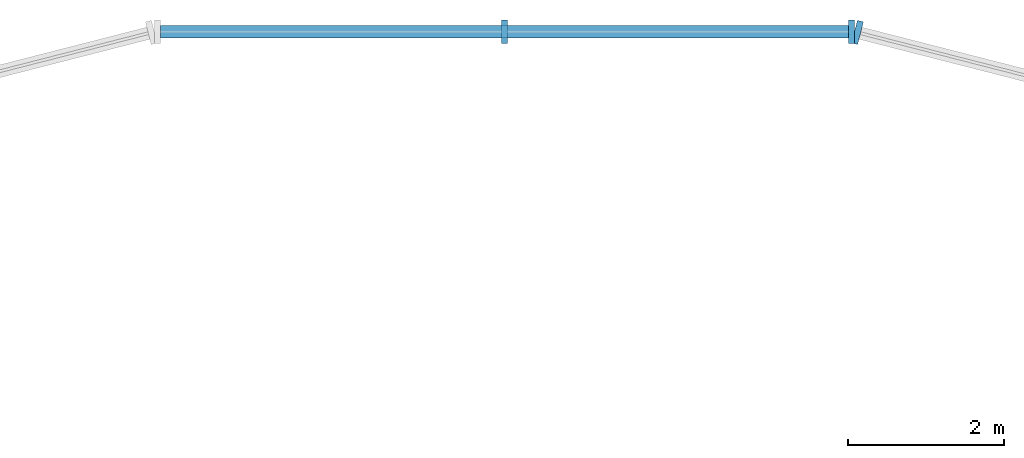
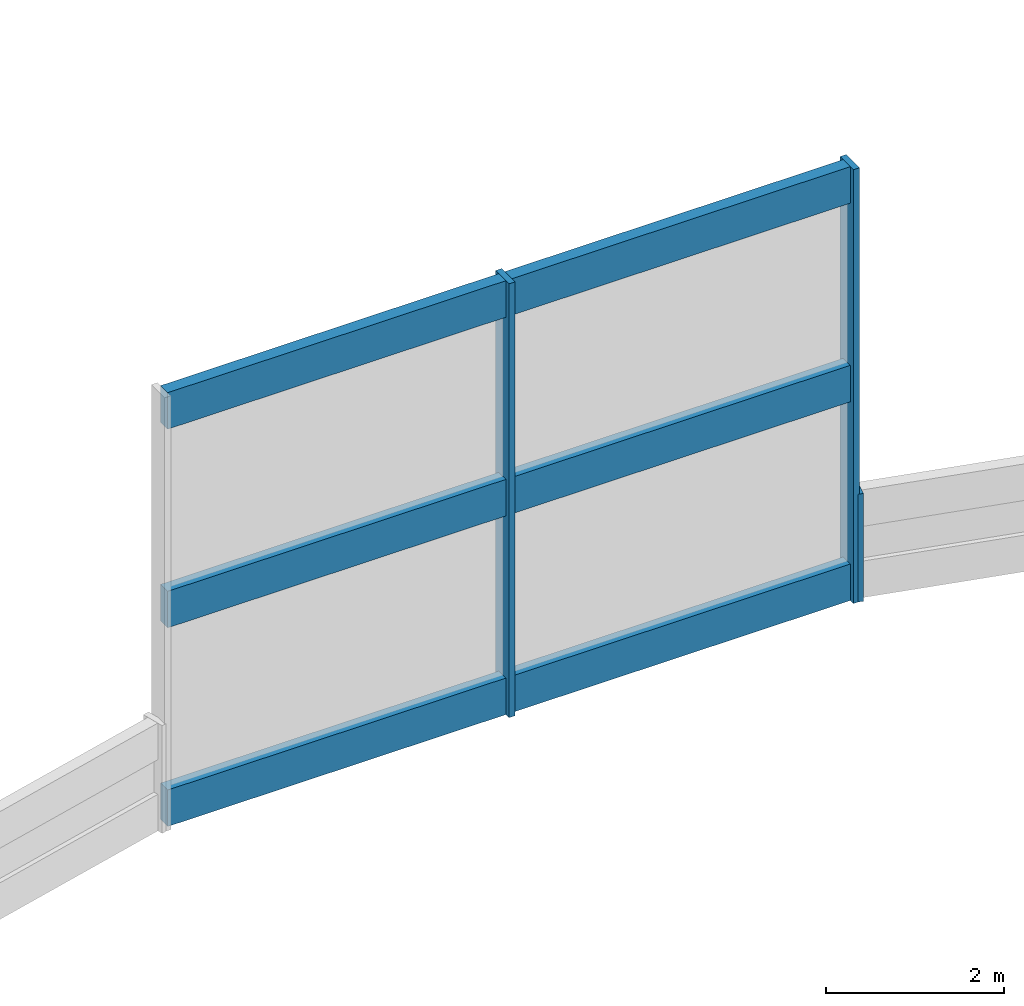
# One storey, part 4 of 19: 6 members, 2 elements without a shape of their own.
"""IFC4 building model written with IfcOpenShell, lengths in metres."""

import ifcopenshell
import ifcopenshell.guid

model = None  # the IFC model being written
_history = None  # IfcOwnerHistory: only IFC2X3 demands one
_inside = {}  # id of a spatial element -> (the spatial element, [elements in it])
_under = {}  # id of a project, library or spatial element -> (it, [spatial elements below it])
_declared = {}  # id of a project -> (the project, [libraries it declares])
_typed = {}  # id of a type object -> (the type object, [elements of that type])
_made_of = {}  # id of a material, layer set ... -> (it, [elements and type objects made of it])


def new_model(schema):
    """Start an empty IFC model of exactly this schema.

    Asked for "IFC4X3", IfcOpenShell would pick the latest addendum, in which some entities
    have other attributes; the version numbers below select the first issue.
    IFC2X3 requires an IfcOwnerHistory on every rooted entity: one is made here for all.
    """
    global model, _history
    if schema == "IFC4X3":
        model = ifcopenshell.file(schema_version=(4, 3, 0, 0))
    else:
        model = ifcopenshell.file(schema=schema)
    _inside.clear()
    _under.clear()
    _declared.clear()
    _typed.clear()
    _made_of.clear()
    _history = None
    if model.schema == "IFC2X3":
        org = make("IfcOrganization", Name="unknown")
        user = make(
            "IfcPersonAndOrganization",
            ThePerson=make("IfcPerson", FamilyName="unknown"),
            TheOrganization=org,
        )
        app = make(
            "IfcApplication",
            ApplicationDeveloper=org,
            Version="unknown",
            ApplicationFullName="unknown",
            ApplicationIdentifier="unknown",
        )
        _history = make(
            "IfcOwnerHistory",
            OwningUser=user,
            OwningApplication=app,
            ChangeAction="ADDED",
            CreationDate=0,
        )
    return model


def make(cls, **values):
    """One entity of the class cls with the attributes given. An attribute that is None is left unset."""
    return model.create_entity(
        cls, **{name: value for name, value in values.items() if value is not None}
    )


def rooted(cls, **values):
    """An entity with a GlobalId (a new one), such as an element, a storey or a relation."""
    return make(cls, GlobalId=ifcopenshell.guid.new(), OwnerHistory=_history, **values)


def si_unit(unit_type, name, prefix=None):
    """IfcSIUnit, for example si_unit("LENGTHUNIT", "METRE", prefix="MILLI")."""
    return make("IfcSIUnit", UnitType=unit_type, Prefix=prefix, Name=name)


def assignment(units):
    """IfcUnitAssignment: the units of a project."""
    return None if units is None else make("IfcUnitAssignment", Units=units)


def point(xyz):
    """IfcCartesianPoint."""
    return None if xyz is None else make("IfcCartesianPoint", Coordinates=xyz)


def direction(xyz):
    """IfcDirection."""
    return None if xyz is None else make("IfcDirection", DirectionRatios=xyz)


def frame(location, z_axis=None, x_axis=None):
    """IfcAxis2Placement3D, a coordinate frame: its origin and axes. An axis left out is left unset."""
    return make(
        "IfcAxis2Placement3D",
        Location=point(location),
        Axis=direction(z_axis),
        RefDirection=direction(x_axis),
    )


def frame_2d(location, x_axis=None):
    """IfcAxis2Placement2D, a coordinate frame in the plane: its origin and x axis."""
    return make(
        "IfcAxis2Placement2D", Location=point(location), RefDirection=direction(x_axis)
    )


def origin():
    """The frame at (0, 0, 0) with its axes left unset."""
    return frame((0.0, 0.0, 0.0))


def origin_2d():
    """The frame at (0, 0) in the plane with its x axis left unset."""
    return frame_2d((0.0, 0.0))


def place(relative_to, where):
    """IfcLocalPlacement: puts the frame where relative to a parent placement (None: the world)."""
    return make(
        "IfcLocalPlacement", PlacementRelTo=relative_to, RelativePlacement=where
    )


def context(
    kind, dimensions, precision=None, world=None, true_north=None, identifier=None
):
    """IfcGeometricRepresentationContext, for example the 3D "Model" context."""
    return make(
        "IfcGeometricRepresentationContext",
        ContextIdentifier=identifier,
        ContextType=kind,
        CoordinateSpaceDimension=dimensions,
        Precision=precision,
        WorldCoordinateSystem=world,
        TrueNorth=true_north,
    )


def subcontext(parent, identifier, kind, view, scale=None):
    """IfcGeometricRepresentationSubContext, for example "Body" below "Model"."""
    return make(
        "IfcGeometricRepresentationSubContext",
        ContextIdentifier=identifier,
        ContextType=kind,
        ParentContext=parent,
        TargetScale=scale,
        TargetView=view,
    )


def project(units=None, contexts=None):
    """IfcProject with its units and contexts."""
    return rooted(
        "IfcProject",
        Name="project",
        RepresentationContexts=contexts,
        UnitsInContext=assignment(units),
    )


def spatial(cls, under=None, at=None, **own):
    """A site, building, storey or space (cls), placed at a placement, below another one or the project."""
    s = rooted(cls, ObjectPlacement=at, **own)
    if under is not None:
        _under.setdefault(under.id(), (under, []))[1].append(s)
    return s


def profile(cls, at=None, kind="AREA", **sizes):
    """A parametric profile (cls). Its sizes go by their IFC names, for example OverallWidth=200.0."""
    return make(cls, ProfileType=kind, Position=at, **sizes)


def rectangle(**sizes):
    """IfcRectangleProfileDef."""
    return profile("IfcRectangleProfileDef", **sizes)


def extrude(swept, where, along, depth):
    """IfcExtrudedAreaSolid: the profile swept, set in the frame where, extruded along a direction by depth."""
    return make(
        "IfcExtrudedAreaSolid",
        SweptArea=swept,
        Position=where,
        ExtrudedDirection=direction(along),
        Depth=depth,
    )


def shape(context_of_items, identifier, shape_type, items):
    """IfcShapeRepresentation: the items that make up one representation, for example the "Body"."""
    return make(
        "IfcShapeRepresentation",
        ContextOfItems=context_of_items,
        RepresentationIdentifier=identifier,
        RepresentationType=shape_type,
        Items=items,
    )


def material(Name=None, Category=None):
    """IfcMaterial."""
    return make("IfcMaterial", Name=Name, Category=Category)


def material_profile(
    of_material, cross_section, Name=None, Category=None, Priority=None
):
    """IfcMaterialProfile: a cross section and its material."""
    return make(
        "IfcMaterialProfile",
        Name=Name,
        Material=of_material,
        Profile=cross_section,
        Priority=Priority,
        Category=Category,
    )


def profile_set(profiles, Name=None, composite=None):
    """IfcMaterialProfileSet."""
    return make(
        "IfcMaterialProfileSet",
        Name=Name,
        MaterialProfiles=profiles,
        CompositeProfile=composite,
    )


def made_of(thing, what):
    """Note that an element or type object is made of a material, layer set ...; save() writes the relation."""
    if what is not None:
        _made_of.setdefault(what.id(), (what, []))[1].append(thing)
    return thing


def type_object(cls, material=None, **own):
    """A type object (cls), such as IfcWallType, which elements share."""
    return made_of(rooted(cls, **own), material)


def element(
    cls,
    number,
    at=None,
    inside=None,
    cuts=None,
    type_object=None,
    material=None,
    context=None,
    identifier="Body",
    shape_type=None,
    held_by="IfcProductDefinitionShape",
    body=None,
    shapes=None,
    **own,
):
    """One element of the class cls, such as IfcWall. Its Tag is "e" and its number.

    at: its placement. inside: the storey or other place that contains it. cuts: it is an
    opening in that element (IfcRelVoidsElement). A single representation is given by context,
    identifier, shape_type and body (its items); several are given by shapes. held_by: the class
    of the entity that holds the representations. save() writes the other relations.
    """
    e = rooted(cls, Tag="e%d" % number, ObjectPlacement=at, **own)
    if body is not None:
        shapes = [shape(context, identifier, shape_type, body)]
    if shapes is not None:
        e.Representation = make(held_by, Representations=shapes)
    if inside is not None:
        _inside.setdefault(inside.id(), (inside, []))[1].append(e)
    if cuts is not None:
        rooted(
            "IfcRelVoidsElement", RelatingBuildingElement=cuts, RelatedOpeningElement=e
        )
    if type_object is not None:
        _typed.setdefault(type_object.id(), (type_object, []))[1].append(e)
    return made_of(e, material)


def aggregate(whole, parts):
    """IfcRelAggregates: a whole, such as a stair, and the parts it consists of."""
    return rooted("IfcRelAggregates", RelatingObject=whole, RelatedObjects=parts)


def save(model, path):
    """Write the relations noted so far, then the file.

    IfcRelAggregates (storeys below a building ...), IfcRelContainedInSpatialStructure (elements
    in a storey), IfcRelDefinesByType, IfcRelAssociatesMaterial and IfcRelDeclares: one each for
    every whole, place, type object, material and project.
    """
    for whole, parts in _under.values():
        aggregate(whole, parts)
    for where, things in _inside.values():
        rooted(
            "IfcRelContainedInSpatialStructure",
            RelatedElements=things,
            RelatingStructure=where,
        )
    for kind, things in _typed.values():
        rooted("IfcRelDefinesByType", RelatedObjects=things, RelatingType=kind)
    for what, things in _made_of.values():
        rooted("IfcRelAssociatesMaterial", RelatedObjects=things, RelatingMaterial=what)
    for by, libraries in _declared.values():
        rooted("IfcRelDeclares", RelatingContext=by, RelatedDefinitions=libraries)
    model.write(path)


model = new_model("IFC4")

# Units and contexts
model_context = context("Model", 3, precision=1e-05, world=origin(), true_north=direction((0.0, 1.0)))
body_context = subcontext(model_context, "Body", "Model", "MODEL_VIEW")
ifc_project = project(units=[si_unit("LENGTHUNIT", "METRE"), si_unit("AREAUNIT", "SQUARE_METRE"), si_unit("VOLUMEUNIT", "CUBIC_METRE"), si_unit("PLANEANGLEUNIT", "RADIAN"), si_unit("MASSUNIT", "GRAM", prefix="KILO")], contexts=[model_context])

# Site, building, storey
site_placement = place(None, origin())
site = spatial("IfcSite", under=ifc_project, at=site_placement, CompositionType="ELEMENT")
building_placement = place(site_placement, origin())
building = spatial("IfcBuilding", under=site, at=building_placement, Name="Marenthal Gate Tower", CompositionType="ELEMENT")
storey_placement = place(building_placement, frame((0.0, 0.0, 19.0)))
storey = spatial("IfcBuildingStorey", under=building, at=storey_placement, Name="L02", CompositionType="ELEMENT", Elevation=19.0)

# Curtain wall, members
ifc_material_1 = material(Name="Aluminium and glass", Category="aluminium")
curtain_wall_type = type_object("IfcCurtainWallType", Name="Curtain wall arch infill", PredefinedType="NOTDEFINED", material=ifc_material_1)
curtain_wall_1_placement = place(storey_placement, origin())
curtain_wall_1 = element("IfcCurtainWall", 1, at=curtain_wall_1_placement, inside=storey, type_object=curtain_wall_type, Name="Curtain wall L02 arch N2", PredefinedType="NOTDEFINED")
ifc_material_2 = material(Name="Aluminium", Category="aluminium")
ifc_material_profile_1 = material_profile(ifc_material_2, rectangle(XDim=0.300048828125, YDim=0.080078125, at=origin_2d()), Name="80x300 aluminium mullion")
ifc_profile_set_1 = profile_set([ifc_material_profile_1], Name="Aluminium")
member_type_1 = type_object("IfcMemberType", Name="Mullion 80x300 arch infill", PredefinedType="MULLION", material=ifc_profile_set_1)
member_1_placement = place(storey_placement, frame((0.0, 29.06103515625, 0.0), z_axis=(0.0, 0.0, 1.0), x_axis=(0.0, 1.0, 0.0)))
member_1 = element("IfcMember", 2, at=member_1_placement, type_object=member_type_1, Name="Mullion L02 arch N2.2", PredefinedType="MULLION", context=body_context, shape_type="SweptSolid", body=[
    extrude(rectangle(XDim=0.300048828125, YDim=0.080078125, at=origin_2d()), origin(), (0.0, 0.0, 1.0), 5.93994140625),
])
member_2_placement = place(storey_placement, frame((4.4599609375, 29.06103515625, 0.0), z_axis=(0.0, 0.0, 1.0), x_axis=(0.0, 1.0, 0.0)))
member_2 = element("IfcMember", 3, at=member_2_placement, type_object=member_type_1, Name="Mullion L02 arch N2.3", PredefinedType="MULLION", context=body_context, shape_type="SweptSolid", body=[
    extrude(rectangle(XDim=0.300048828125, YDim=0.080078125, at=origin_2d()), origin(), (0.0, 0.0, 1.0), 5.93994140625),
])

# Curtain wall, member
curtain_wall_2_placement = place(storey_placement, origin())
curtain_wall_2 = element("IfcCurtainWall", 4, at=curtain_wall_2_placement, inside=storey, type_object=curtain_wall_type, Name="Curtain wall L02 arch N3", PredefinedType="NOTDEFINED")
member_3_placement = place(storey_placement, frame((4.538818359375, 29.051025390625, 0.0), z_axis=(0.0, 0.0, 1.0), x_axis=(0.247965362941, 0.968768898542, 0.0)))
member_3 = element("IfcMember", 5, at=member_3_placement, type_object=member_type_1, Name="Mullion L02 arch N3.1", PredefinedType="MULLION", context=body_context, shape_type="SweptSolid", body=[
    extrude(rectangle(XDim=0.300048828125, YDim=0.080078125, at=origin_2d()), origin(), (0.0, 0.0, 1.0), 1.47509765625),
])
aggregate(curtain_wall_2, [member_3])

# Member
ifc_material_3 = material(Name="Aluminium", Category="aluminium")
ifc_material_profile_2 = material_profile(ifc_material_3, rectangle(XDim=0.159912109375, YDim=0.5, at=origin_2d()), Name="160x500 aluminium transom")
ifc_profile_set_2 = profile_set([ifc_material_profile_2], Name="Aluminium")
member_type_2 = type_object("IfcMemberType", Name="Transom 160x500 arch infill", PredefinedType="USERDEFINED", material=ifc_profile_set_2)
member_4_placement = place(storey_placement, frame((-4.419921875, 29.06103515625, 0.25), z_axis=(1.0, 0.0, 0.0), x_axis=(0.0, 1.0, 0.0)))
member_4 = element("IfcMember", 6, at=member_4_placement, type_object=member_type_2, Name="Transom L02 arch N2.1", ObjectType="TRANSOM", PredefinedType="USERDEFINED", context=body_context, shape_type="SweptSolid", body=[
    extrude(rectangle(XDim=0.159912109375, YDim=0.5, at=origin_2d()), origin(), (0.0, 0.0, 1.0), 8.83984375),
])

member_5_placement = place(storey_placement, frame((-4.419921875, 29.06103515625, 2.969970703125), z_axis=(1.0, 0.0, 0.0), x_axis=(0.0, 1.0, 0.0)))
member_5 = element("IfcMember", 7, at=member_5_placement, type_object=member_type_2, Name="Transom L02 arch N2.2", ObjectType="TRANSOM", PredefinedType="USERDEFINED", context=body_context, shape_type="SweptSolid", body=[
    extrude(rectangle(XDim=0.159912109375, YDim=0.5, at=origin_2d()), origin(), (0.0, 0.0, 1.0), 8.83984375),
])

member_6_placement = place(storey_placement, frame((-4.419921875, 29.06103515625, 5.68994140625), z_axis=(1.0, 0.0, 0.0), x_axis=(0.0, 1.0, 0.0)))
member_6 = element("IfcMember", 8, at=member_6_placement, type_object=member_type_2, Name="Transom L02 arch N2.3", ObjectType="TRANSOM", PredefinedType="USERDEFINED", context=body_context, shape_type="SweptSolid", body=[
    extrude(rectangle(XDim=0.159912109375, YDim=0.5, at=origin_2d()), origin(), (0.0, 0.0, 1.0), 8.83984375),
])

aggregate(curtain_wall_1, [member_1, member_2, member_4, member_5, member_6])

save(model, "model.ifc")
